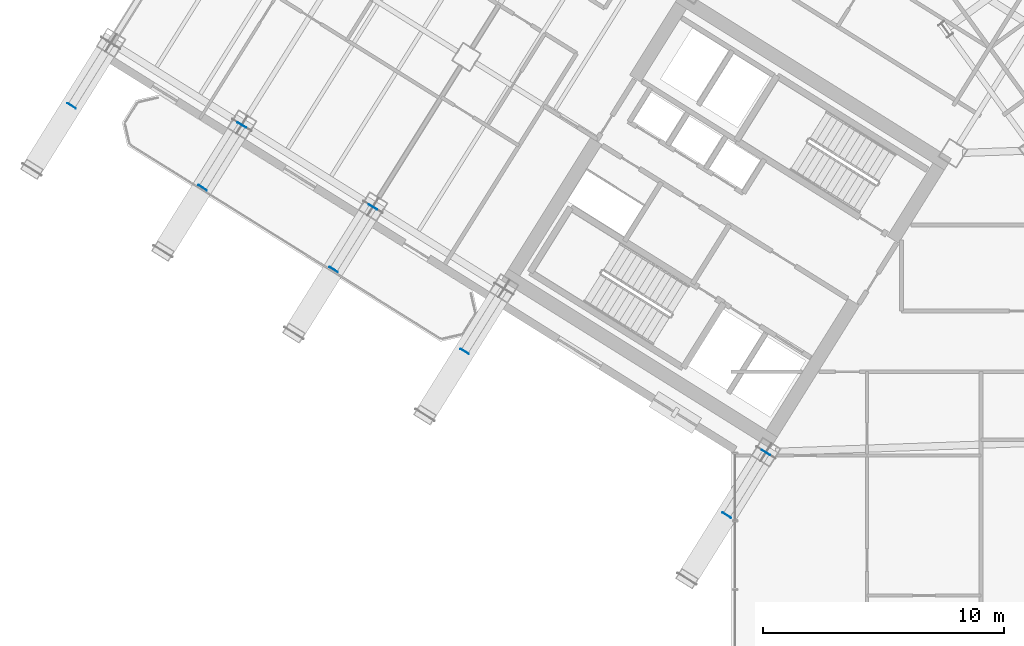
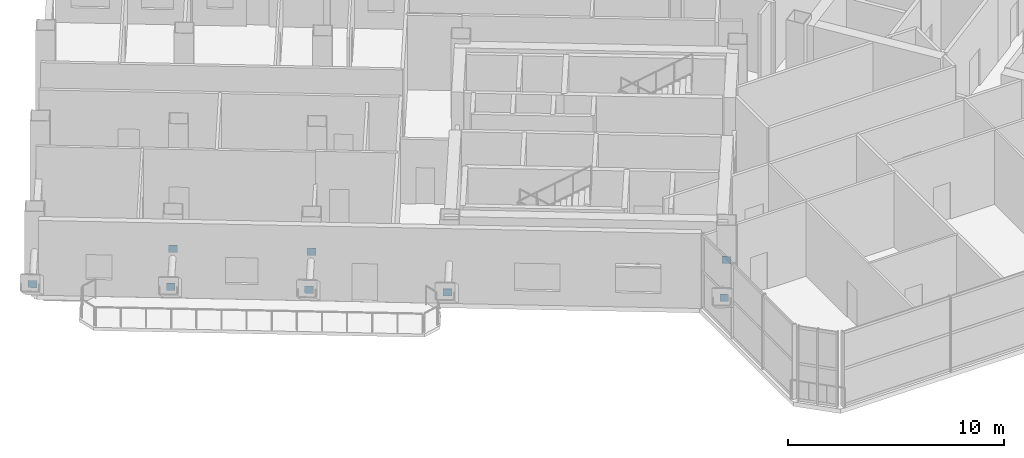
# One storey, part 16 of 32: 8 plates.
"""IFC4 building model written with IfcOpenShell, lengths in metres."""

from ifc_helpers import new_model, si_unit, direction, frame, origin, origin_2d, place, context, subcontext, project, spatial, rectangle, extrude, source, transform, mapped, material, layer, layer_set, type_object, element, save


model = new_model("IFC4")

# Units and contexts
model_context = context("Model", 3, precision=1e-05, world=origin(), true_north=direction((0.0, 1.0)))
body_context = subcontext(model_context, "Body", "Model", "MODEL_VIEW")
ifc_project = project(units=[si_unit("LENGTHUNIT", "METRE"), si_unit("AREAUNIT", "SQUARE_METRE"), si_unit("VOLUMEUNIT", "CUBIC_METRE"), si_unit("PLANEANGLEUNIT", "RADIAN"), si_unit("MASSUNIT", "GRAM", prefix="KILO")], contexts=[model_context])

# Site, building, storey
site_placement = place(None, origin())
site = spatial("IfcSite", under=ifc_project, at=site_placement, CompositionType="ELEMENT")
building_placement = place(site_placement, origin())
building = spatial("IfcBuilding", under=site, at=building_placement, Name="Tlacorven Tower", CompositionType="ELEMENT")
storey_placement = place(building_placement, frame((0.0, 0.0, 123.300048828125)))
storey = spatial("IfcBuildingStorey", under=building, at=storey_placement, Name="L31", CompositionType="ELEMENT", Elevation=123.300048828125)

# Plates
ifc_material = material(Name="Steel S460M", Category="steel")
ifc_layer = layer(ifc_material, 0.02392578125)
ifc_layer_set = layer_set([ifc_layer], Name="Steel S460M")
plate_type = type_object("IfcPlateType", Name="PL-CAP-END1", PredefinedType="USERDEFINED", material=ifc_layer_set)
shared_shape = source(origin(), body_context, "Body", "SweptSolid", [
    extrude(rectangle(XDim=0.02392578125, YDim=0.40380859375, at=origin_2d()), origin(), (0.0, 0.0, 1.0), 0.40380859375),
])
for number, where, z_axis, x_axis, name in (
    (1, (33.03564453125, 12.06982421875, 2.048095703125), (0.0, 0.0, 1.0), (-0.529918596831, -0.848048513195, 0.0), "L31 hollow end cap plate SBR-L31-W1 1"),
    (2, (31.4140625, 9.474853515625, 2.048095703125), (0.0, 0.0, 1.0), (-0.529918596831, -0.848048513195, 0.0), "L31 hollow end cap plate SBR-L31-W1 2"),
    (3, (20.55908203125, 16.2578125, 2.048095703125), (0.0, 0.0, 1.0), (-0.529920124392, -0.848047558669, 0.0), "L31 hollow end cap plate SBR-L31-W3 2"),
    (4, (16.7529296875, 22.244384765625, 2.048095703125), (0.0, 0.0, 1.0), (-0.529920153861, -0.848047540255, 0.0), "L31 hollow end cap plate SBR-L31-W4 1"),
    (5, (15.13134765625, 19.6494140625, 2.048095703125), (0.0, 0.0, 1.0), (-0.529920153861, -0.848047540255, 0.0), "L31 hollow end cap plate SBR-L31-W4 2"),
    (6, (11.325439453125, 25.6357421875, 2.048095703125), (0.0, 0.0, 1.0), (-0.529920036472, -0.848047613607, 0.0), "L31 hollow end cap plate SBR-L31-W5 1"),
    (7, (9.703857421875, 23.040771484375, 2.048095703125), (0.0, 0.0, 1.0), (-0.529920036472, -0.848047613607, 0.0), "L31 hollow end cap plate SBR-L31-W5 2"),
    (8, (4.2763671875, 26.432373046875, 2.048095703125), (0.0, 0.0, 1.0), (-0.529919419306, -0.848047999256, 0.0), "L31 hollow end cap plate SBR-L31-W6 2"),
):
    element("IfcPlate", number, at=place(storey_placement, frame(where, z_axis=z_axis, x_axis=x_axis)), inside=storey, type_object=plate_type, Name=name, ObjectType="END PLATE", PredefinedType="USERDEFINED", context=body_context, shape_type="MappedRepresentation", body=[
        mapped(shared_shape, transform((0.0, 0.0, 0.0), scale=1.0)),
    ])

save(model, "model.ifc")
